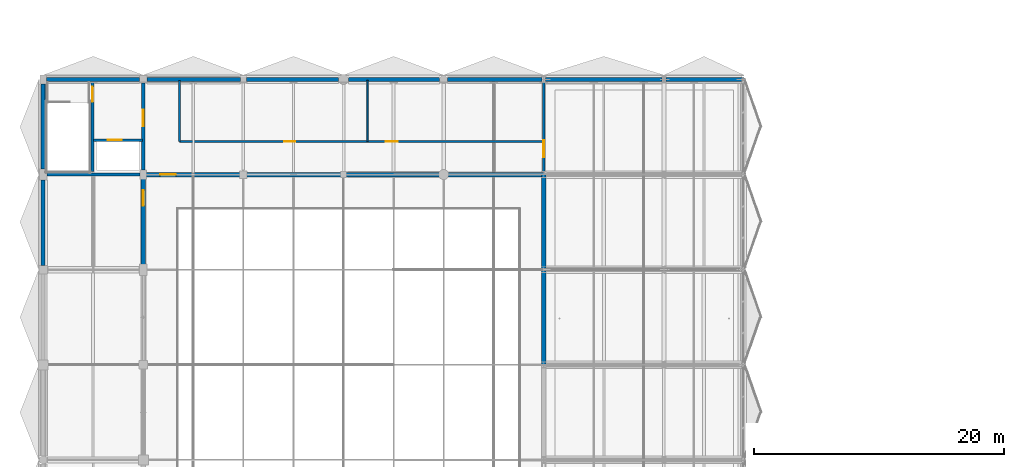
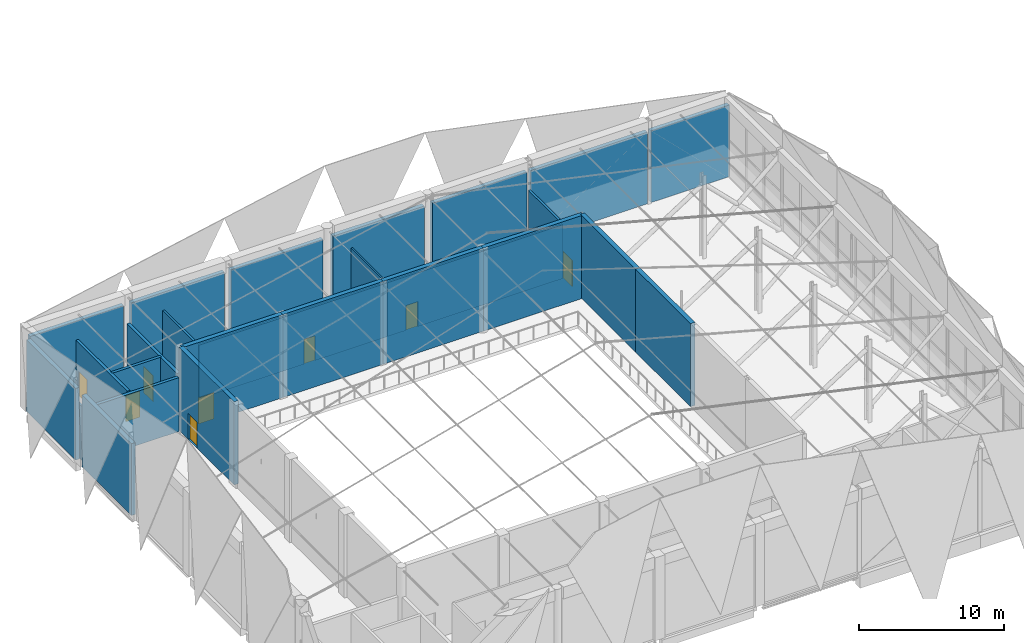
# One storey, part 33 of 46: 26 walls, 8 doors, 8 openings.
"""IFC4 building model written with IfcOpenShell, lengths in metres."""

from ifc_helpers import new_model, si_unit, direction, frame, frame_2d, origin, place, context, subcontext, project, spatial, rectangle, extrude, material, layer, layer_set, type_object, element, fill, save


model = new_model("IFC4")

# Units and contexts
model_context = context("Model", 3, precision=1e-05, world=origin(), true_north=direction((0.0, 1.0)))
body_context = subcontext(model_context, "Body", "Model", "MODEL_VIEW")
ifc_project = project(units=[si_unit("LENGTHUNIT", "METRE"), si_unit("AREAUNIT", "SQUARE_METRE"), si_unit("VOLUMEUNIT", "CUBIC_METRE"), si_unit("PLANEANGLEUNIT", "RADIAN"), si_unit("MASSUNIT", "GRAM", prefix="KILO")], contexts=[model_context])

# Site, building, storey
site_placement = place(None, origin())
site = spatial("IfcSite", under=ifc_project, at=site_placement, CompositionType="ELEMENT")
building_placement = place(site_placement, origin())
building = spatial("IfcBuilding", under=site, at=building_placement, Name="Khelvaren Railside Concert Hall", CompositionType="ELEMENT")
storey_placement = place(building_placement, frame((0.0, 0.0, 19.800048828125)))
storey = spatial("IfcBuildingStorey", under=building, at=storey_placement, Name="L04", CompositionType="ELEMENT", Elevation=19.800048828125)

# Walls
ifc_material_1 = material(Name="Concrete C40/50", Category="concrete")
ifc_layer_1 = layer(ifc_material_1, 0.139892578125)
ifc_layer_set_1 = layer_set([ifc_layer_1], Name="Concrete C40/50")
wall_type_1 = type_object("IfcWallType", Name="CW17", PredefinedType="SOLIDWALL", material=ifc_layer_set_1)
wall_1_placement = place(storey_placement, frame((0.27490234375, 38.14990234375, 0.0), z_axis=(0.0, 0.0, 1.0), x_axis=(0.0, 1.0, 0.0)))
element("IfcWall", 1, at=wall_1_placement, inside=storey, type_object=wall_type_1, Name="Core Shaft Structural Liner Wall ST-11-L04", PredefinedType="SOLIDWALL", context=body_context, shape_type="SweptSolid", body=[
    extrude(rectangle(XDim=7.300048828125, YDim=0.139892578125, at=frame_2d((3.64990234375, 0.0))), origin(), (0.0, 0.0, 1.0), 4.5400390625),
])
ifc_layer_2 = layer(ifc_material_1, 0.25)
ifc_layer_set_2 = layer_set([ifc_layer_2], Name="Concrete C40/50")
wall_type_2 = type_object("IfcWallType", Name="CW82", PredefinedType="SOLIDWALL", material=ifc_layer_set_2)
wall_2_placement = place(storey_placement, frame((0.300048828125, 38.0, 0.0), z_axis=(0.0, 0.0, 1.0), x_axis=(1.0, 0.0, 0.0)))
element("IfcWall", 2, at=wall_2_placement, inside=storey, type_object=wall_type_2, Name="Core Enclosure Wall CWALL-ST-11-L04-S", PredefinedType="SOLIDWALL", context=body_context, shape_type="SweptSolid", body=[
    extrude(rectangle(XDim=7.449951171875, YDim=0.25, at=frame_2d((3.72509765625, 0.0))), origin(), (0.0, 0.0, 1.0), 4.5400390625),
])

# Wall, opening, door
wall_3_placement = place(storey_placement, frame((8.0, 38.375, 0.0), z_axis=(0.0, 0.0, 1.0), x_axis=(0.0, 1.0, 0.0)))
wall_3 = element("IfcWall", 3, at=wall_3_placement, inside=storey, type_object=wall_type_2, Name="Core Enclosure Wall CWALL-ST-11-L04-E", PredefinedType="SOLIDWALL", context=body_context, shape_type="SweptSolid", body=[
    extrude(rectangle(XDim=6.925048828125, YDim=0.25, at=frame_2d((3.46240234375, 0.0))), origin(), (0.0, 0.0, 1.0), 4.5400390625),
])
opening_1_placement = place(wall_3_placement, frame((3.47509765625, 0.0, 0.0)))
opening_1 = element("IfcOpeningElement", 4, at=opening_1_placement, cuts=wall_3, Name="Opening FDR34", PredefinedType="OPENING", context=body_context, shape_type="SweptSolid", body=[
    extrude(rectangle(XDim=1.35009765625, YDim=2.199951171875, at=frame_2d((0.675048828125, 1.10009765625))), frame((0.0, 0.135009765625, 0.0), z_axis=(0.0, -1.0, 0.0), x_axis=(1.0, 0.0, 0.0)), (0.0, 0.0, 1.0), 0.27001953125),
])
ifc_material_2 = material(Name="Acoustic fire-rated timber-core steel frame door", Category="steel")
door_type_1 = type_object("IfcDoorType", Name="FDR34", OperationType="NOTDEFINED", PredefinedType="DOOR", material=ifc_material_2)
door_1_placement = place(opening_1_placement, origin())
door_1 = element("IfcDoor", 5, at=door_1_placement, inside=storey, type_object=door_type_1, Name="Interior Door DR-ST-11-L04-LOB", OperationType="SINGLE_SWING_LEFT", OverallHeight=2.199951171875, OverallWidth=1.35009765625, PredefinedType="DOOR", context=body_context, shape_type="SweptSolid", body=[
    extrude(rectangle(XDim=1.35009765625, YDim=2.199951171875, at=frame_2d((0.675048828125, 1.10009765625))), frame((0.0, 0.02490234375, 0.0), z_axis=(0.0, -1.0, 0.0), x_axis=(1.0, 0.0, 0.0)), (0.0, 0.0, 1.0), 0.050048828125),
])
fill(opening_1, door_1)

ifc_layer_3 = layer(ifc_material_1, 0.219970703125)
ifc_layer_set_3 = layer_set([ifc_layer_3], Name="Concrete C40/50")
wall_type_3 = type_object("IfcWallType", Name="CW97", PredefinedType="SOLIDWALL", material=ifc_layer_set_3)
wall_4_placement = place(storey_placement, frame((3.949951171875, 38.25, 0.0), z_axis=(0.0, 0.0, 1.0), x_axis=(0.0, 1.0, 0.0)))
wall_4 = element("IfcWall", 6, at=wall_4_placement, inside=storey, type_object=wall_type_3, Name="Core Enclosure Wall CWALL-ST-11-L04-MID", PredefinedType="SOLIDWALL", context=body_context, shape_type="SweptSolid", body=[
    extrude(rectangle(XDim=7.10009765625, YDim=0.219970703125, at=frame_2d((3.550048828125, 0.0))), origin(), (0.0, 0.0, 1.0), 4.5400390625),
])
opening_2_placement = place(wall_4_placement, frame((5.550048828125, 0.0, 0.0)))
opening_2 = element("IfcOpeningElement", 7, at=opening_2_placement, cuts=wall_4, Name="Opening FDR17", PredefinedType="OPENING", context=body_context, shape_type="SweptSolid", body=[
    extrude(rectangle(XDim=1.199951171875, YDim=2.14990234375, at=frame_2d((0.60009765625, 1.074951171875))), frame((0.0, 0.119873046875, 0.0), z_axis=(0.0, -1.0, 0.0), x_axis=(1.0, 0.0, 0.0)), (0.0, 0.0, 1.0), 0.239990234375),
])
door_type_2 = type_object("IfcDoorType", Name="FDR17", OperationType="NOTDEFINED", PredefinedType="DOOR", material=ifc_material_2)
door_2_placement = place(opening_2_placement, origin())
door_2 = element("IfcDoor", 8, at=door_2_placement, inside=storey, type_object=door_type_2, Name="Interior Door DR-ST-11-L04-ST", OperationType="SINGLE_SWING_RIGHT", OverallHeight=2.14990234375, OverallWidth=1.199951171875, PredefinedType="DOOR", context=body_context, shape_type="SweptSolid", body=[
    extrude(rectangle(XDim=1.199951171875, YDim=2.14990234375, at=frame_2d((0.60009765625, 1.074951171875))), frame((0.0, 0.02490234375, 0.0), z_axis=(0.0, -1.0, 0.0), x_axis=(1.0, 0.0, 0.0)), (0.0, 0.0, 1.0), 0.050048828125),
])
fill(opening_2, door_2)

wall_5_placement = place(storey_placement, frame((4.02001953125, 40.75, 0.0), z_axis=(0.0, 0.0, 1.0), x_axis=(1.0, 0.0, 0.0)))
wall_5 = element("IfcWall", 9, at=wall_5_placement, inside=storey, type_object=wall_type_3, Name="Core Enclosure Wall CWALL-ST-11-L04-SHF", PredefinedType="SOLIDWALL", context=body_context, shape_type="SweptSolid", body=[
    extrude(rectangle(XDim=3.929931640625, YDim=0.219970703125, at=frame_2d((1.96484375, 0.0))), origin(), (0.0, 0.0, 1.0), 4.5400390625),
])
opening_3_placement = place(wall_5_placement, frame((1.14990234375, 0.0, 0.0)))
opening_3 = element("IfcOpeningElement", 10, at=opening_3_placement, cuts=wall_5, Name="Opening LD-GL-01", PredefinedType="OPENING", context=body_context, shape_type="SweptSolid", body=[
    extrude(rectangle(XDim=1.10009765625, YDim=2.199951171875, at=frame_2d((0.550048828125, 1.10009765625))), frame((0.0, 0.119873046875, 0.0), z_axis=(0.0, -1.0, 0.0), x_axis=(1.0, 0.0, 0.0)), (0.0, 0.0, 1.0), 0.239990234375),
])
ifc_material_3 = material(Name="Fire-rated brushed stainless steel landing door", Category="steel")
door_type_3 = type_object("IfcDoorType", Name="LD96", OperationType="DOUBLE_DOOR_SLIDING", PredefinedType="DOOR", material=ifc_material_3)
door_3_placement = place(opening_3_placement, origin())
door_3 = element("IfcDoor", 11, at=door_3_placement, inside=storey, type_object=door_type_3, Name="Lift Landing Door LD-GL-01-L04", OperationType="DOUBLE_DOOR_SLIDING", OverallHeight=2.199951171875, OverallWidth=1.10009765625, PredefinedType="DOOR", context=body_context, shape_type="SweptSolid", body=[
    extrude(rectangle(XDim=1.10009765625, YDim=2.199951171875, at=frame_2d((0.550048828125, 1.10009765625))), frame((0.0, 0.02490234375, 0.0), z_axis=(0.0, -1.0, 0.0), x_axis=(1.0, 0.0, 0.0)), (0.0, 0.0, 1.0), 0.050048828125),
])
fill(opening_3, door_3)

# Walls
ifc_material_4 = material(Name="Board-marked architectural concrete C40/50", Category="concrete")
ifc_layer_4 = layer(ifc_material_4, 0.320068359375)
ifc_layer_set_4 = layer_set([ifc_layer_4], Name="Board-marked architectural concrete C40/50")
wall_type_4 = type_object("IfcWallType", Name="EW39", PredefinedType="SOLIDWALL", material=ifc_layer_set_4)
wall_6_placement = place(storey_placement, frame((0.0, 30.75, 0.0), z_axis=(0.0, 0.0, 1.0), x_axis=(0.0, 1.0, 0.0)))
element("IfcWall", 12, at=wall_6_placement, inside=storey, type_object=wall_type_4, Name="V1 L04 Exterior Concrete Wall W-30", PredefinedType="SOLIDWALL", context=body_context, shape_type="SweptSolid", body=[
    extrude(rectangle(XDim=6.800048828125, YDim=0.320068359375, at=frame_2d((3.39990234375, 0.0))), origin(), (0.0, 0.0, 1.0), 6.050048828125),
])
wall_7_placement = place(storey_placement, frame((0.0, 38.449951171875, 0.0), z_axis=(0.0, 0.0, 1.0), x_axis=(0.0, 1.0, 0.0)))
element("IfcWall", 13, at=wall_7_placement, inside=storey, type_object=wall_type_4, Name="V1 L04 Exterior Concrete Wall W-38", PredefinedType="SOLIDWALL", context=body_context, shape_type="SweptSolid", body=[
    extrude(rectangle(XDim=6.775146484375, YDim=0.320068359375, at=frame_2d((3.3876953125, 0.0))), origin(), (0.0, 0.0, 1.0), 6.050048828125),
])
for number, where, z_axis, x_axis, name in (
    (14, (0.25, 45.60009765625, 0.0), (0.0, 0.0, 1.0), (1.0, 0.0, 0.0), "V1 L04 Exterior Concrete Wall N-0"),
    (15, (8.300048828125, 45.60009765625, 0.0), (0.0, 0.0, 1.0), (1.0, 0.0, 0.0), "V1 L04 Exterior Concrete Wall N-8"),
):
    element("IfcWall", number, at=place(storey_placement, frame(where, z_axis=z_axis, x_axis=x_axis)), inside=storey, type_object=wall_type_4, Name=name, PredefinedType="SOLIDWALL", context=body_context, shape_type="SweptSolid", body=[
        extrude(rectangle(XDim=7.449951171875, YDim=0.320068359375, at=frame_2d((3.72509765625, 0.0))), origin(), (0.0, 0.0, 1.0), 6.050048828125),
    ])
wall_8_placement = place(storey_placement, frame((16.25, 45.60009765625, 0.0), z_axis=(0.0, 0.0, 1.0), x_axis=(1.0, 0.0, 0.0)))
element("IfcWall", 16, at=wall_8_placement, inside=storey, type_object=wall_type_4, Name="V1 L04 Exterior Concrete Wall N-16", PredefinedType="SOLIDWALL", context=body_context, shape_type="SweptSolid", body=[
    extrude(rectangle(XDim=7.35009765625, YDim=0.320068359375, at=frame_2d((3.675048828125, 0.0))), origin(), (0.0, 0.0, 1.0), 6.050048828125),
])
wall_9_placement = place(storey_placement, frame((24.39990234375, 45.60009765625, 0.0), z_axis=(0.0, 0.0, 1.0), x_axis=(1.0, 0.0, 0.0)))
element("IfcWall", 17, at=wall_9_placement, inside=storey, type_object=wall_type_4, Name="V1 L04 Exterior Concrete Wall N-24", PredefinedType="SOLIDWALL", context=body_context, shape_type="SweptSolid", body=[
    extrude(rectangle(XDim=7.275146484375, YDim=0.320068359375, at=frame_2d((3.6376953125, 0.0))), origin(), (0.0, 0.0, 1.0), 6.050048828125),
])
wall_10_placement = place(storey_placement, frame((32.324951171875, 45.60009765625, 0.0), z_axis=(0.0, 0.0, 1.0), x_axis=(1.0, 0.0, 0.0)))
element("IfcWall", 18, at=wall_10_placement, inside=storey, type_object=wall_type_4, Name="V1 L04 Exterior Concrete Wall N-32", PredefinedType="SOLIDWALL", context=body_context, shape_type="SweptSolid", body=[
    extrude(rectangle(XDim=7.525146484375, YDim=0.320068359375, at=frame_2d((3.7626953125, 0.0))), origin(), (0.0, 0.0, 1.0), 6.050048828125),
])
wall_11_placement = place(storey_placement, frame((40.14990234375, 45.60009765625, 0.0), z_axis=(0.0, 0.0, 1.0), x_axis=(1.0, 0.0, 0.0)))
element("IfcWall", 19, at=wall_11_placement, inside=storey, type_object=wall_type_4, Name="V1 L04 Exterior Concrete Wall N-40", PredefinedType="SOLIDWALL", context=body_context, shape_type="SweptSolid", body=[
    extrude(rectangle(XDim=9.300048828125, YDim=0.320068359375, at=frame_2d((4.64990234375, 0.0))), origin(), (0.0, 0.0, 1.0), 6.050048828125),
])
wall_12_placement = place(storey_placement, frame((49.75, 45.60009765625, 0.0), z_axis=(0.0, 0.0, 1.0), x_axis=(1.0, 0.0, 0.0)))
element("IfcWall", 20, at=wall_12_placement, inside=storey, type_object=wall_type_4, Name="V1 L04 Exterior Concrete Wall N-50", PredefinedType="SOLIDWALL", context=body_context, shape_type="SweptSolid", body=[
    extrude(rectangle(XDim=6.25, YDim=0.320068359375, at=frame_2d((3.125, 0.0))), origin(), (0.0, 0.0, 1.0), 6.050048828125),
])

# Wall, opening, door
ifc_material_5 = material(Name="Acoustic double-stud gypsum partition", Category="gypsum")
ifc_layer_5 = layer(ifc_material_5, 0.179931640625)
ifc_layer_set_5 = layer_set([ifc_layer_5], Name="Acoustic double-stud gypsum partition")
wall_type_5 = type_object("IfcWallType", Name="PT46", PredefinedType="PARTITIONING", material=ifc_layer_set_5)
wall_13_placement = place(storey_placement, frame((40.0, 38.25, 0.0), z_axis=(0.0, 0.0, 1.0), x_axis=(0.0, 1.0, 0.0)))
wall_13 = element("IfcWall", 21, at=wall_13_placement, inside=storey, type_object=wall_type_5, Name="Acoustic Partition Wall PW-V1-L04-EAST-NW", PredefinedType="PARTITIONING", context=body_context, shape_type="SweptSolid", body=[
    extrude(rectangle(XDim=7.10009765625, YDim=0.179931640625, at=frame_2d((3.550048828125, 0.0))), origin(), (0.0, 0.0, 1.0), 4.5400390625),
])
opening_4_placement = place(wall_13_placement, frame((1.14990234375, 0.0, 0.0)))
opening_4 = element("IfcOpeningElement", 22, at=opening_4_placement, cuts=wall_13, Name="Opening IDR52", PredefinedType="OPENING", context=body_context, shape_type="SweptSolid", body=[
    extrude(rectangle(XDim=1.340087890625, YDim=2.199951171875, at=frame_2d((0.669921875, 1.10009765625))), frame((0.0, 0.099853515625, 0.0), z_axis=(0.0, -1.0, 0.0), x_axis=(1.0, 0.0, 0.0)), (0.0, 0.0, 1.0), 0.199951171875),
])
ifc_material_6 = material(Name="Solid oak acoustic studio door", Category="wood")
door_type_4 = type_object("IfcDoorType", Name="IDR52", OperationType="NOTDEFINED", PredefinedType="DOOR", material=ifc_material_6)
door_4_placement = place(opening_4_placement, origin())
door_4 = element("IfcDoor", 23, at=door_4_placement, inside=storey, type_object=door_type_4, Name="Interior Door DR-V1-L04-EAST-NC", OperationType="SINGLE_SWING_RIGHT", OverallHeight=2.199951171875, OverallWidth=1.340087890625, PredefinedType="DOOR", context=body_context, shape_type="SweptSolid", body=[
    extrude(rectangle(XDim=1.340087890625, YDim=2.199951171875, at=frame_2d((0.669921875, 1.10009765625))), frame((0.0, 0.02490234375, 0.0), z_axis=(0.0, -1.0, 0.0), x_axis=(1.0, 0.0, 0.0)), (0.0, 0.0, 1.0), 0.050048828125),
])
fill(opening_4, door_4)

ifc_layer_6 = layer(ifc_material_5, 0.159912109375)
ifc_layer_set_6 = layer_set([ifc_layer_6], Name="Acoustic double-stud gypsum partition")
wall_type_6 = type_object("IfcWallType", Name="PT60", PredefinedType="PARTITIONING", material=ifc_layer_set_6)
wall_14_placement = place(storey_placement, frame((10.89990234375, 40.64990234375, 0.0), z_axis=(0.0, 0.0, 1.0), x_axis=(1.0, 0.0, 0.0)))
wall_14 = element("IfcWall", 24, at=wall_14_placement, inside=storey, type_object=wall_type_6, Name="Acoustic Partition Wall PW-V1-L04-N4-C01", PredefinedType="PARTITIONING", context=body_context, shape_type="SweptSolid", body=[
    extrude(rectangle(XDim=15.010009765625, YDim=0.159912109375, at=frame_2d((7.5048828125, 0.0))), origin(), (0.0, 0.0, 1.0), 4.5400390625),
])
opening_5_placement = place(wall_14_placement, frame((8.362060546875, 0.0, 0.0)))
opening_5 = element("IfcOpeningElement", 25, at=opening_5_placement, cuts=wall_14, Name="Opening IDR56", PredefinedType="OPENING", context=body_context, shape_type="SweptSolid", body=[
    extrude(rectangle(XDim=0.89990234375, YDim=2.10009765625, at=frame_2d((0.449951171875, 1.050048828125))), frame((0.0, 0.08984375, 0.0), z_axis=(0.0, -1.0, 0.0), x_axis=(1.0, 0.0, 0.0)), (0.0, 0.0, 1.0), 0.179931640625),
])
door_type_5 = type_object("IfcDoorType", Name="IDR56", OperationType="NOTDEFINED", PredefinedType="DOOR", material=ifc_material_6)
door_5_placement = place(opening_5_placement, origin())
door_5 = element("IfcDoor", 26, at=door_5_placement, inside=storey, type_object=door_type_5, Name="Interior Door DR-V1-L04-N4-01", OperationType="SINGLE_SWING_LEFT", OverallHeight=2.10009765625, OverallWidth=0.89990234375, PredefinedType="DOOR", context=body_context, shape_type="SweptSolid", body=[
    extrude(rectangle(XDim=0.89990234375, YDim=2.10009765625, at=frame_2d((0.449951171875, 1.050048828125))), frame((0.0, 0.02490234375, 0.0), z_axis=(0.0, -1.0, 0.0), x_axis=(1.0, 0.0, 0.0)), (0.0, 0.0, 1.0), 0.050048828125),
])
fill(opening_5, door_5)

wall_15_placement = place(storey_placement, frame((25.909912109375, 40.64990234375, 0.0), z_axis=(0.0, 0.0, 1.0), x_axis=(1.0, 0.0, 0.0)))
wall_15 = element("IfcWall", 27, at=wall_15_placement, inside=storey, type_object=wall_type_6, Name="Acoustic Partition Wall PW-V1-L04-N4-C02", PredefinedType="PARTITIONING", context=body_context, shape_type="SweptSolid", body=[
    extrude(rectangle(XDim=14.010009765625, YDim=0.159912109375, at=frame_2d((7.0048828125, 0.0))), origin(), (0.0, 0.0, 1.0), 4.5400390625),
])
opening_6_placement = place(wall_15_placement, frame((1.47705078125, 0.0, 0.0)))
opening_6 = element("IfcOpeningElement", 28, at=opening_6_placement, cuts=wall_15, Name="Opening IDR22", PredefinedType="OPENING", context=body_context, shape_type="SweptSolid", body=[
    extrude(rectangle(XDim=0.9599609375, YDim=2.10009765625, at=frame_2d((0.47998046875, 1.050048828125))), frame((0.0, 0.08984375, 0.0), z_axis=(0.0, -1.0, 0.0), x_axis=(1.0, 0.0, 0.0)), (0.0, 0.0, 1.0), 0.179931640625),
])
door_type_6 = type_object("IfcDoorType", Name="IDR22", OperationType="NOTDEFINED", PredefinedType="DOOR", material=ifc_material_6)
door_6_placement = place(opening_6_placement, origin())
door_6 = element("IfcDoor", 29, at=door_6_placement, inside=storey, type_object=door_type_6, Name="Interior Door DR-V1-L04-N4-02", OperationType="SINGLE_SWING_RIGHT", OverallHeight=2.10009765625, OverallWidth=0.9599609375, PredefinedType="DOOR", context=body_context, shape_type="SweptSolid", body=[
    extrude(rectangle(XDim=0.9599609375, YDim=2.10009765625, at=frame_2d((0.47998046875, 1.050048828125))), frame((0.0, 0.02490234375, 0.0), z_axis=(0.0, -1.0, 0.0), x_axis=(1.0, 0.0, 0.0)), (0.0, 0.0, 1.0), 0.050048828125),
])
fill(opening_6, door_6)

# Walls
wall_16_placement = place(storey_placement, frame((10.89990234375, 40.64990234375, 0.0), z_axis=(0.0, 0.0, 1.0), x_axis=(0.0, 1.0, 0.0)))
element("IfcWall", 30, at=wall_16_placement, inside=storey, type_object=wall_type_6, Name="Acoustic Partition Wall PW-V1-L04-N4-W0", PredefinedType="PARTITIONING", context=body_context, shape_type="SweptSolid", body=[
    extrude(rectangle(XDim=4.8701171875, YDim=0.159912109375, at=frame_2d((2.43505859375, 0.0))), origin(), (0.0, 0.0, 1.0), 4.5400390625),
])
ifc_layer_7 = layer(ifc_material_5, 0.1201171875)
ifc_layer_set_7 = layer_set([ifc_layer_7], Name="Acoustic double-stud gypsum partition")
wall_type_7 = type_object("IfcWallType", Name="PT74", PredefinedType="PARTITIONING", material=ifc_layer_set_7)
wall_17_placement = place(storey_placement, frame((25.909912109375, 40.64990234375, 0.0), z_axis=(0.0, 0.0, 1.0), x_axis=(0.0, 1.0, 0.0)))
element("IfcWall", 31, at=wall_17_placement, inside=storey, type_object=wall_type_7, Name="Acoustic Partition Wall PW-V1-L04-N4-D01", PredefinedType="PARTITIONING", context=body_context, shape_type="SweptSolid", body=[
    extrude(rectangle(XDim=4.8701171875, YDim=0.1201171875, at=frame_2d((2.43505859375, 0.0))), origin(), (0.0, 0.0, 1.0), 4.5400390625),
])

# Wall, opening, door
ifc_layer_8 = layer(ifc_material_1, 0.35009765625)
ifc_layer_set_8 = layer_set([ifc_layer_8], Name="Concrete C40/50")
wall_type_8 = type_object("IfcWallType", Name="SW91", PredefinedType="SHEAR", material=ifc_layer_set_8)
wall_18_placement = place(storey_placement, frame((8.0, 38.0, 0.0), z_axis=(0.0, 0.0, 1.0), x_axis=(1.0, 0.0, 0.0)))
wall_18 = element("IfcWall", 32, at=wall_18_placement, inside=storey, type_object=wall_type_8, Name="V1 Acoustic Box Shear Wall L04 N1", PredefinedType="SHEAR", context=body_context, shape_type="SweptSolid", body=[
    extrude(rectangle(XDim=8.0, YDim=0.35009765625, at=frame_2d((4.0, 0.0))), origin(), (0.0, 0.0, 1.0), 7.0),
])
opening_7_placement = place(wall_18_placement, frame((1.35009765625, 0.0, 0.0)))
opening_7 = element("IfcOpeningElement", 33, at=opening_7_placement, cuts=wall_18, Name="Opening ADR42", PredefinedType="OPENING", context=body_context, shape_type="SweptSolid", body=[
    extrude(rectangle(XDim=1.25, YDim=2.199951171875, at=frame_2d((0.625, 1.10009765625))), frame((0.0, 0.18505859375, 0.0), z_axis=(0.0, -1.0, 0.0), x_axis=(1.0, 0.0, 0.0)), (0.0, 0.0, 1.0), 0.3701171875),
])
ifc_material_7 = material(Name="Heavy acoustic double sound-lock fire door", Category="wood")
door_type_7 = type_object("IfcDoorType", Name="ADR42", OperationType="DOUBLE_DOOR_SINGLE_SWING", PredefinedType="DOOR", material=ifc_material_7)
door_7_placement = place(opening_7_placement, origin())
door_7 = element("IfcDoor", 34, at=door_7_placement, inside=storey, type_object=door_type_7, Name="Main Concert Hall Acoustic Sound-Lock Door L04-N1", OperationType="DOUBLE_DOOR_SINGLE_SWING", OverallHeight=2.199951171875, OverallWidth=1.25, PredefinedType="DOOR", context=body_context, shape_type="SweptSolid", body=[
    extrude(rectangle(XDim=1.25, YDim=2.199951171875, at=frame_2d((0.625, 1.10009765625))), frame((0.0, 0.02490234375, 0.0), z_axis=(0.0, -1.0, 0.0), x_axis=(1.0, 0.0, 0.0)), (0.0, 0.0, 1.0), 0.050048828125),
])
fill(opening_7, door_7)

# Walls
for number, where, z_axis, x_axis, name in (
    (35, (16.0, 38.0, 0.0), (0.0, 0.0, 1.0), (1.0, 0.0, 0.0), "V1 Acoustic Box Shear Wall L04 N2"),
    (36, (24.0, 38.0, 0.0), (0.0, 0.0, 1.0), (1.0, 0.0, 0.0), "V1 Acoustic Box Shear Wall L04 N3"),
    (37, (32.0, 38.0, 0.0), (0.0, 0.0, 1.0), (1.0, 0.0, 0.0), "V1 Acoustic Box Shear Wall L04 N4"),
):
    element("IfcWall", number, at=place(storey_placement, frame(where, z_axis=z_axis, x_axis=x_axis)), inside=storey, type_object=wall_type_8, Name=name, PredefinedType="SHEAR", context=body_context, shape_type="SweptSolid", body=[
        extrude(rectangle(XDim=8.0, YDim=0.35009765625, at=frame_2d((4.0, 0.0))), origin(), (0.0, 0.0, 1.0), 7.0),
    ])

# Wall, opening, door
wall_19_placement = place(storey_placement, frame((8.0, 30.39990234375, 0.0), z_axis=(0.0, 0.0, 1.0), x_axis=(0.0, 1.0, 0.0)))
wall_19 = element("IfcWall", 38, at=wall_19_placement, inside=storey, type_object=wall_type_8, Name="V1 Acoustic Box Shear Wall L04 W4", PredefinedType="SHEAR", context=body_context, shape_type="SweptSolid", body=[
    extrude(rectangle(XDim=7.60009765625, YDim=0.35009765625, at=frame_2d((3.800048828125, 0.0))), origin(), (0.0, 0.0, 1.0), 7.0),
])
opening_8_placement = place(wall_19_placement, frame((5.10009765625, 0.0, 0.0)))
opening_8 = element("IfcOpeningElement", 39, at=opening_8_placement, cuts=wall_19, Name="Opening ADR42", PredefinedType="OPENING", context=body_context, shape_type="SweptSolid", body=[
    extrude(rectangle(XDim=1.25, YDim=2.199951171875, at=frame_2d((0.625, 1.10009765625))), frame((0.0, 0.18505859375, 0.0), z_axis=(0.0, -1.0, 0.0), x_axis=(1.0, 0.0, 0.0)), (0.0, 0.0, 1.0), 0.3701171875),
])
door_8_placement = place(opening_8_placement, origin())
door_8 = element("IfcDoor", 40, at=door_8_placement, inside=storey, type_object=door_type_7, Name="Main Concert Hall Acoustic Sound-Lock Door L04-W4", OperationType="DOUBLE_DOOR_SINGLE_SWING", OverallHeight=2.199951171875, OverallWidth=1.25, PredefinedType="DOOR", context=body_context, shape_type="SweptSolid", body=[
    extrude(rectangle(XDim=1.25, YDim=2.199951171875, at=frame_2d((0.625, 1.10009765625))), frame((0.0, 0.02490234375, 0.0), z_axis=(0.0, -1.0, 0.0), x_axis=(1.0, 0.0, 0.0)), (0.0, 0.0, 1.0), 0.050048828125),
])
fill(opening_8, door_8)

# Walls
wall_20_placement = place(storey_placement, frame((40.0, 22.800048828125, 0.0), z_axis=(0.0, 0.0, 1.0), x_axis=(0.0, 1.0, 0.0)))
element("IfcWall", 41, at=wall_20_placement, inside=storey, type_object=wall_type_8, Name="V1 Acoustic Box Shear Wall L04 E3", PredefinedType="SHEAR", context=body_context, shape_type="SweptSolid", body=[
    extrude(rectangle(XDim=7.599853515625, YDim=0.35009765625, at=frame_2d((3.7998046875, 0.0))), origin(), (0.0, 0.0, 1.0), 7.0),
])
wall_21_placement = place(storey_placement, frame((40.0, 30.39990234375, 0.0), z_axis=(0.0, 0.0, 1.0), x_axis=(0.0, 1.0, 0.0)))
element("IfcWall", 42, at=wall_21_placement, inside=storey, type_object=wall_type_8, Name="V1 Acoustic Box Shear Wall L04 E4", PredefinedType="SHEAR", context=body_context, shape_type="SweptSolid", body=[
    extrude(rectangle(XDim=7.60009765625, YDim=0.35009765625, at=frame_2d((3.800048828125, 0.0))), origin(), (0.0, 0.0, 1.0), 7.0),
])

save(model, "model.ifc")
